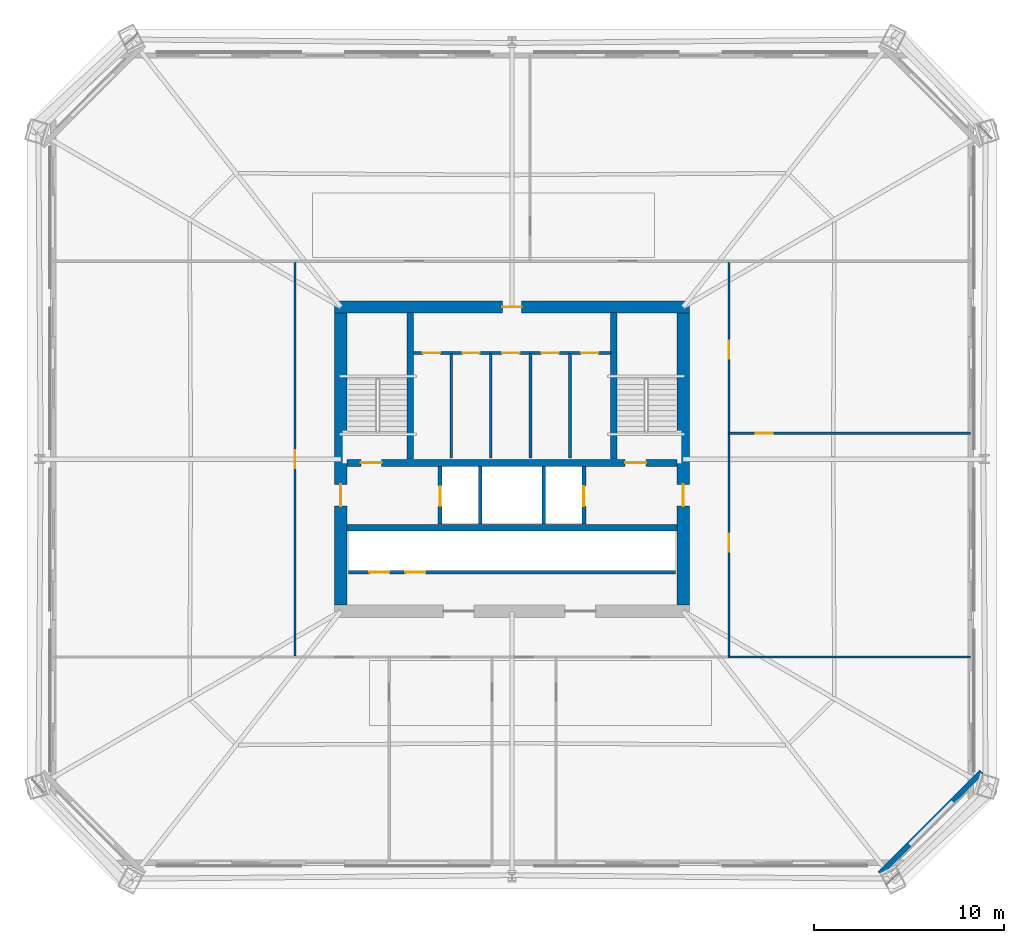
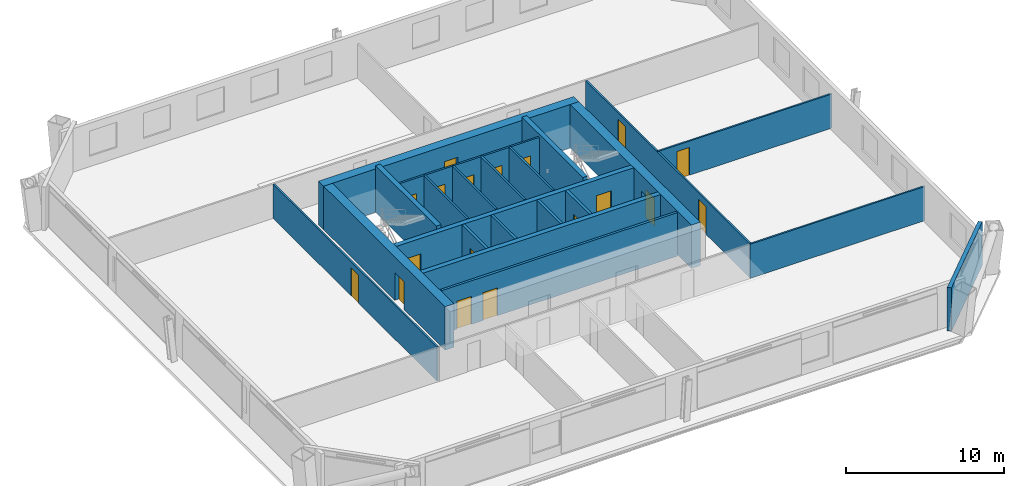
# One storey, part 5 of 10: 22 walls, 18 doors, 18 openings.
"""IFC4 building model written with IfcOpenShell, lengths in metres."""

from ifc_helpers import new_model, si_unit, direction, frame, frame_2d, origin, place, context, subcontext, project, spatial, rectangle, extrude, material, layer, layer_set, type_object, element, fill, save


model = new_model("IFC4")

# Units and contexts
model_context = context("Model", 3, precision=1e-05, world=origin(), true_north=direction((0.0, 1.0)))
body_context = subcontext(model_context, "Body", "Model", "MODEL_VIEW")
ifc_project = project(units=[si_unit("LENGTHUNIT", "METRE"), si_unit("AREAUNIT", "SQUARE_METRE"), si_unit("VOLUMEUNIT", "CUBIC_METRE"), si_unit("PLANEANGLEUNIT", "RADIAN"), si_unit("MASSUNIT", "GRAM", prefix="KILO")], contexts=[model_context])

# Site, building, storey
site_placement = place(None, origin())
site = spatial("IfcSite", under=ifc_project, at=site_placement, CompositionType="ELEMENT")
building_placement = place(site_placement, origin())
building = spatial("IfcBuilding", under=site, at=building_placement, Name="Caelvoria Tower", CompositionType="ELEMENT")
storey_placement = place(building_placement, frame((0.0, 0.0, 56.800048828125)))
storey = spatial("IfcBuildingStorey", under=building, at=storey_placement, Name="L14", CompositionType="ELEMENT", Elevation=56.800048828125)

# Wall, openings, doors
ifc_material_1 = material(Name="Concrete C50/60", Category="concrete")
ifc_layer_1 = layer(ifc_material_1, 0.35009765625, Name="Concrete C50/60")
ifc_layer_set_1 = layer_set([ifc_layer_1], Name="Core Internal Shear Wall 350 - Concrete C50/60")
wall_type_1 = type_object("IfcWallType", Name="Core Internal Shear Wall 350", PredefinedType="SHEAR", material=ifc_layer_set_1)
wall_1_placement = place(storey_placement, frame((37.324951171875, 31.800048828125, 0.0), z_axis=(0.0, 0.0, 1.0), x_axis=(1.0, 0.0, 0.0)))
wall_1 = element("IfcWall", 1, at=wall_1_placement, inside=storey, type_object=wall_type_1, Name="Core Shear Wall L14 M1", PredefinedType="SHEAR", context=body_context, shape_type="SweptSolid", body=[
    extrude(rectangle(XDim=17.35009765625, YDim=0.35009765625, at=frame_2d((8.675048828125, 0.0))), origin(), (0.0, 0.0, 1.0), 3.35986328125),
])
opening_1_placement = place(wall_1_placement, frame((0.72509765625, 0.0, 0.0)))
opening_1 = element("IfcOpeningElement", 2, at=opening_1_placement, cuts=wall_1, Name="Opening ID-01", PredefinedType="OPENING", context=body_context, shape_type="SweptSolid", body=[
    extrude(rectangle(XDim=1.10009765625, YDim=2.14990234375, at=frame_2d((0.550048828125, 1.074951171875))), frame((0.0, 0.18505859375, 0.0), z_axis=(0.0, -1.0, 0.0), x_axis=(1.0, 0.0, 0.0)), (0.0, 0.0, 1.0), 0.3701171875),
])
opening_2_placement = place(wall_1_placement, frame((14.625, 0.0, 0.0)))
opening_2 = element("IfcOpeningElement", 3, at=opening_2_placement, cuts=wall_1, Name="Opening ID-01", PredefinedType="OPENING", context=body_context, shape_type="SweptSolid", body=[
    extrude(rectangle(XDim=1.10009765625, YDim=2.14990234375, at=frame_2d((0.550048828125, 1.074951171875))), frame((0.0, 0.18505859375, 0.0), z_axis=(0.0, -1.0, 0.0), x_axis=(1.0, 0.0, 0.0)), (0.0, 0.0, 1.0), 0.3701171875),
])
ifc_material_2 = material(Name="Painted Hollow Steel Fire Door", Category="steel")
door_type_1 = type_object("IfcDoorType", Name="Fire Door FD90S 1100x2150", OperationType="NOTDEFINED", PredefinedType="DOOR", material=ifc_material_2)
door_1_placement = place(opening_1_placement, origin())
door_1 = element("IfcDoor", 4, at=door_1_placement, inside=storey, type_object=door_type_1, Name="Core Door DR-L14-ST1", OperationType="SINGLE_SWING_LEFT", OverallHeight=2.14990234375, OverallWidth=1.10009765625, PredefinedType="DOOR", context=body_context, shape_type="SweptSolid", body=[
    extrude(rectangle(XDim=1.10009765625, YDim=2.14990234375, at=frame_2d((0.550048828125, 1.074951171875))), frame((0.0, 0.02490234375, 0.0), z_axis=(0.0, -1.0, 0.0), x_axis=(1.0, 0.0, 0.0)), (0.0, 0.0, 1.0), 0.050048828125),
])
fill(opening_1, door_1)
door_2_placement = place(opening_2_placement, origin())
door_2 = element("IfcDoor", 5, at=door_2_placement, inside=storey, type_object=door_type_1, Name="Core Door DR-L14-ST2", OperationType="SINGLE_SWING_RIGHT", OverallHeight=2.14990234375, OverallWidth=1.10009765625, PredefinedType="DOOR", context=body_context, shape_type="SweptSolid", body=[
    extrude(rectangle(XDim=1.10009765625, YDim=2.14990234375, at=frame_2d((0.550048828125, 1.074951171875))), frame((0.0, 0.02490234375, 0.0), z_axis=(0.0, -1.0, 0.0), x_axis=(1.0, 0.0, 0.0)), (0.0, 0.0, 1.0), 0.050048828125),
])
fill(opening_2, door_2)

# Walls
wall_2_placement = place(storey_placement, frame((37.324951171875, 28.39990234375, 0.0), z_axis=(0.0, 0.0, 1.0), x_axis=(1.0, 0.0, 0.0)))
element("IfcWall", 6, at=wall_2_placement, inside=storey, type_object=wall_type_1, Name="Core Shear Wall L14 M2", PredefinedType="SHEAR", context=body_context, shape_type="SweptSolid", body=[
    extrude(rectangle(XDim=17.35009765625, YDim=0.35009765625, at=frame_2d((8.675048828125, 0.0))), origin(), (0.0, 0.0, 1.0), 3.35986328125),
])
for number, where, z_axis, x_axis, name in (
    (7, (40.64990234375, 32.0, 0.0), (0.0, 0.0, 1.0), (0.0, 1.0, 0.0), "Interior Partition IW-L14-ST1E"),
    (8, (51.35009765625, 32.0, 0.0), (0.0, 0.0, 1.0), (0.0, 1.0, 0.0), "Interior Partition IW-L14-ST2W"),
):
    element("IfcWall", number, at=place(storey_placement, frame(where, z_axis=z_axis, x_axis=x_axis)), inside=storey, type_object=wall_type_1, Name=name, PredefinedType="SHEAR", context=body_context, shape_type="SweptSolid", body=[
        extrude(rectangle(XDim=7.699951171875, YDim=0.35009765625, at=frame_2d((3.85009765625, 0.0))), origin(), (0.0, 0.0, 1.0), 3.599853515625),
    ])
ifc_material_3 = material(Name="Moisture-Resistant Gypsum on Steel Stud", Category="steel")
ifc_layer_2 = layer(ifc_material_3, 0.139892578125, Name="Moisture-Resistant Gypsum on Steel Stud")
ifc_layer_set_2 = layer_set([ifc_layer_2], Name="Core Sanitary Acoustic Partition Wall 140 - Moisture-Resistant Gypsum on Steel Stud")
wall_type_2 = type_object("IfcWallType", Name="Core Sanitary Acoustic Partition Wall 140", PredefinedType="PARTITIONING", material=ifc_layer_set_2)
for number, where, z_axis, x_axis, name in (
    (9, (42.81005859375, 32.050048828125, 0.0), (0.0, 0.0, 1.0), (0.0, 1.0, 0.0), "Interior Partition IW-L14-C1V0"),
    (10, (44.889892578125, 32.050048828125, 0.0), (0.0, 0.0, 1.0), (0.0, 1.0, 0.0), "Interior Partition IW-L14-C1V1"),
    (11, (46.969970703125, 32.050048828125, 0.0), (0.0, 0.0, 1.0), (0.0, 1.0, 0.0), "Interior Partition IW-L14-C1V2"),
    (12, (49.050048828125, 32.050048828125, 0.0), (0.0, 0.0, 1.0), (0.0, 1.0, 0.0), "Interior Partition IW-L14-C1V3"),
):
    element("IfcWall", number, at=place(storey_placement, frame(where, z_axis=z_axis, x_axis=x_axis)), inside=storey, type_object=wall_type_2, Name=name, PredefinedType="PARTITIONING", context=body_context, shape_type="SweptSolid", body=[
        extrude(rectangle(XDim=5.5, YDim=0.139892578125, at=frame_2d((2.75, 0.0))), origin(), (0.0, 0.0, 1.0), 3.35986328125),
    ])

# Wall, openings, doors
wall_3_placement = place(storey_placement, frame((40.800048828125, 37.580078125, 0.0), z_axis=(0.0, 0.0, 1.0), x_axis=(1.0, 0.0, 0.0)))
wall_3 = element("IfcWall", 13, at=wall_3_placement, inside=storey, type_object=wall_type_2, Name="Interior Partition IW-L14-C1H", PredefinedType="PARTITIONING", context=body_context, shape_type="SweptSolid", body=[
    extrude(rectangle(XDim=10.39990234375, YDim=0.139892578125, at=frame_2d((5.199951171875, 0.0))), origin(), (0.0, 0.0, 1.0), 3.35986328125),
])
opening_3_placement = place(wall_3_placement, frame((0.52001953125, 0.0, 0.0)))
opening_3 = element("IfcOpeningElement", 14, at=opening_3_placement, cuts=wall_3, Name="Opening ID-06", PredefinedType="OPENING", context=body_context, shape_type="SweptSolid", body=[
    extrude(rectangle(XDim=0.89990234375, YDim=2.14990234375, at=frame_2d((0.449951171875, 1.074951171875))), frame((0.0, 0.079833984375, 0.0), z_axis=(0.0, -1.0, 0.0), x_axis=(1.0, 0.0, 0.0)), (0.0, 0.0, 1.0), 0.159912109375),
])
opening_4_placement = place(wall_3_placement, frame((2.60009765625, 0.0, 0.0)))
opening_4 = element("IfcOpeningElement", 15, at=opening_4_placement, cuts=wall_3, Name="Opening ID-06", PredefinedType="OPENING", context=body_context, shape_type="SweptSolid", body=[
    extrude(rectangle(XDim=0.89990234375, YDim=2.14990234375, at=frame_2d((0.449951171875, 1.074951171875))), frame((0.0, 0.079833984375, 0.0), z_axis=(0.0, -1.0, 0.0), x_axis=(1.0, 0.0, 0.0)), (0.0, 0.0, 1.0), 0.159912109375),
])
opening_5_placement = place(wall_3_placement, frame((4.679931640625, 0.0, 0.0)))
opening_5 = element("IfcOpeningElement", 16, at=opening_5_placement, cuts=wall_3, Name="Opening ID-07", PredefinedType="OPENING", context=body_context, shape_type="SweptSolid", body=[
    extrude(rectangle(XDim=0.919921875, YDim=2.14990234375, at=frame_2d((0.4599609375, 1.074951171875))), frame((0.0, 0.079833984375, 0.0), z_axis=(0.0, -1.0, 0.0), x_axis=(1.0, 0.0, 0.0)), (0.0, 0.0, 1.0), 0.159912109375),
])
opening_6_placement = place(wall_3_placement, frame((6.760009765625, 0.0, 0.0)))
opening_6 = element("IfcOpeningElement", 17, at=opening_6_placement, cuts=wall_3, Name="Opening ID-06", PredefinedType="OPENING", context=body_context, shape_type="SweptSolid", body=[
    extrude(rectangle(XDim=0.89990234375, YDim=2.14990234375, at=frame_2d((0.449951171875, 1.074951171875))), frame((0.0, 0.079833984375, 0.0), z_axis=(0.0, -1.0, 0.0), x_axis=(1.0, 0.0, 0.0)), (0.0, 0.0, 1.0), 0.159912109375),
])
opening_7_placement = place(wall_3_placement, frame((8.840087890625, 0.0, 0.0)))
opening_7 = element("IfcOpeningElement", 18, at=opening_7_placement, cuts=wall_3, Name="Opening ID-06", PredefinedType="OPENING", context=body_context, shape_type="SweptSolid", body=[
    extrude(rectangle(XDim=0.89990234375, YDim=2.14990234375, at=frame_2d((0.449951171875, 1.074951171875))), frame((0.0, 0.079833984375, 0.0), z_axis=(0.0, -1.0, 0.0), x_axis=(1.0, 0.0, 0.0)), (0.0, 0.0, 1.0), 0.159912109375),
])
ifc_material_4 = material(Name="Engineered Andean Oak Accessible Door", Category="wood")
door_type_2 = type_object("IfcDoorType", Name="Accessible WC Door 950x2150", OperationType="NOTDEFINED", PredefinedType="DOOR", material=ifc_material_4)
door_3_placement = place(opening_5_placement, origin())
door_3 = element("IfcDoor", 19, at=door_3_placement, inside=storey, type_object=door_type_2, Name="Interior Door DR-L14-C1-3", OperationType="SINGLE_SWING_LEFT", OverallHeight=2.14990234375, OverallWidth=0.919921875, PredefinedType="DOOR", context=body_context, shape_type="SweptSolid", body=[
    extrude(rectangle(XDim=0.919921875, YDim=2.14990234375, at=frame_2d((0.4599609375, 1.074951171875))), frame((0.0, 0.02490234375, 0.0), z_axis=(0.0, -1.0, 0.0), x_axis=(1.0, 0.0, 0.0)), (0.0, 0.0, 1.0), 0.050048828125),
])
fill(opening_5, door_3)
ifc_material_5 = material(Name="Engineered Andean Oak Veneer Door", Category="wood")
door_type_3 = type_object("IfcDoorType", Name="Interior Timber Door 900x2150", OperationType="NOTDEFINED", PredefinedType="DOOR", material=ifc_material_5)
door_4_placement = place(opening_3_placement, origin())
door_4 = element("IfcDoor", 20, at=door_4_placement, inside=storey, type_object=door_type_3, Name="Interior Door DR-L14-C1-1", OperationType="SINGLE_SWING_LEFT", OverallHeight=2.14990234375, OverallWidth=0.89990234375, PredefinedType="DOOR", context=body_context, shape_type="SweptSolid", body=[
    extrude(rectangle(XDim=0.89990234375, YDim=2.14990234375, at=frame_2d((0.449951171875, 1.074951171875))), frame((0.0, 0.02490234375, 0.0), z_axis=(0.0, -1.0, 0.0), x_axis=(1.0, 0.0, 0.0)), (0.0, 0.0, 1.0), 0.050048828125),
])
fill(opening_3, door_4)
door_5_placement = place(opening_4_placement, origin())
door_5 = element("IfcDoor", 21, at=door_5_placement, inside=storey, type_object=door_type_3, Name="Interior Door DR-L14-C1-2", OperationType="SINGLE_SWING_RIGHT", OverallHeight=2.14990234375, OverallWidth=0.89990234375, PredefinedType="DOOR", context=body_context, shape_type="SweptSolid", body=[
    extrude(rectangle(XDim=0.89990234375, YDim=2.14990234375, at=frame_2d((0.449951171875, 1.074951171875))), frame((0.0, 0.02490234375, 0.0), z_axis=(0.0, -1.0, 0.0), x_axis=(1.0, 0.0, 0.0)), (0.0, 0.0, 1.0), 0.050048828125),
])
fill(opening_4, door_5)
door_6_placement = place(opening_6_placement, origin())
door_6 = element("IfcDoor", 22, at=door_6_placement, inside=storey, type_object=door_type_3, Name="Interior Door DR-L14-C1-4", OperationType="SINGLE_SWING_RIGHT", OverallHeight=2.14990234375, OverallWidth=0.89990234375, PredefinedType="DOOR", context=body_context, shape_type="SweptSolid", body=[
    extrude(rectangle(XDim=0.89990234375, YDim=2.14990234375, at=frame_2d((0.449951171875, 1.074951171875))), frame((0.0, 0.02490234375, 0.0), z_axis=(0.0, -1.0, 0.0), x_axis=(1.0, 0.0, 0.0)), (0.0, 0.0, 1.0), 0.050048828125),
])
fill(opening_6, door_6)
door_7_placement = place(opening_7_placement, origin())
door_7 = element("IfcDoor", 23, at=door_7_placement, inside=storey, type_object=door_type_3, Name="Interior Door DR-L14-C1-5", OperationType="SINGLE_SWING_LEFT", OverallHeight=2.14990234375, OverallWidth=0.89990234375, PredefinedType="DOOR", context=body_context, shape_type="SweptSolid", body=[
    extrude(rectangle(XDim=0.89990234375, YDim=2.14990234375, at=frame_2d((0.449951171875, 1.074951171875))), frame((0.0, 0.02490234375, 0.0), z_axis=(0.0, -1.0, 0.0), x_axis=(1.0, 0.0, 0.0)), (0.0, 0.0, 1.0), 0.050048828125),
])
fill(opening_7, door_7)

# Walls
ifc_material_6 = material(Name="Precast Concrete C40/50 with Bronze Cladding", Category="concrete")
ifc_layer_3 = layer(ifc_material_6, 0.280029296875, Name="Precast Concrete C40/50 with Bronze Cladding")
ifc_layer_set_3 = layer_set([ifc_layer_3], Name="Exterior Precast Concrete C40/50 Bronze-Clad Facade Wall 280 - Precast Concrete C40/50 with Bronze Cladding")
wall_type_3 = type_object("IfcWallType", Name="Exterior Precast Concrete C40/50 Bronze-Clad Facade Wall 280", PredefinedType="STANDARD", material=ifc_layer_set_3)
wall_4_placement = place(storey_placement, frame((65.3544921875, 10.2060546875, 0.0), z_axis=(0.0, 0.0, 1.0), x_axis=(0.707106781187, 0.707106781187, 0.0)))
element("IfcWall", 24, at=wall_4_placement, inside=storey, type_object=wall_type_3, Name="Exterior Facade Wall L14-E1", PredefinedType="STANDARD", context=body_context, shape_type="SweptSolid", body=[
    extrude(rectangle(XDim=7.551025390625, YDim=0.280029296875, at=frame_2d((3.775390625, 0.0))), origin(), (0.0, 0.0, 1.0), 3.35986328125),
])
ifc_material_7 = material(Name="Concrete Block and Fireboard Assembly", Category="concrete")
ifc_layer_4 = layer(ifc_material_7, 0.179931640625, Name="Concrete Block and Fireboard Assembly")
ifc_layer_set_4 = layer_set([ifc_layer_4], Name="Fire-Rated Hoistway Partition Wall 180 - Concrete Block and Fireboard Assembly")
wall_type_4 = type_object("IfcWallType", Name="Fire-Rated Hoistway Partition Wall 180", PredefinedType="PARTITIONING", material=ifc_layer_set_4)
for number, where, z_axis, x_axis, name in (
    (25, (44.320068359375, 28.580078125, 0.0), (0.0, 0.0, 1.0), (0.0, 1.0, 0.0), "Interior Partition IW-L14-SV1W"),
    (26, (47.679931640625, 28.580078125, 0.0), (0.0, 0.0, 1.0), (0.0, 1.0, 0.0), "Interior Partition IW-L14-SV1E"),
):
    element("IfcWall", number, at=place(storey_placement, frame(where, z_axis=z_axis, x_axis=x_axis)), inside=storey, type_object=wall_type_4, Name=name, PredefinedType="PARTITIONING", context=body_context, shape_type="SweptSolid", body=[
        extrude(rectangle(XDim=3.0400390625, YDim=0.179931640625, at=frame_2d((1.52001953125, 0.0))), origin(), (0.0, 0.0, 1.0), 3.35986328125),
    ])

# Wall, openings, doors
wall_5_placement = place(storey_placement, frame((37.39990234375, 26.050048828125, 0.0), z_axis=(0.0, 0.0, 1.0), x_axis=(1.0, 0.0, 0.0)))
wall_5 = element("IfcWall", 27, at=wall_5_placement, inside=storey, type_object=wall_type_4, Name="Interior Partition IW-L14-LFRONT", PredefinedType="PARTITIONING", context=body_context, shape_type="SweptSolid", body=[
    extrude(rectangle(XDim=17.2001953125, YDim=0.179931640625, at=frame_2d((8.60009765625, 0.0))), origin(), (0.0, 0.0, 1.0), 3.35986328125),
])
opening_8_placement = place(wall_5_placement, frame((1.10009765625, 0.0, 0.0)))
opening_8 = element("IfcOpeningElement", 28, at=opening_8_placement, cuts=wall_5, Name="Opening LD-01", PredefinedType="OPENING", context=body_context, shape_type="SweptSolid", body=[
    extrude(rectangle(XDim=1.050048828125, YDim=2.14990234375, at=frame_2d((0.52490234375, 1.074951171875))), frame((0.0, 0.099853515625, 0.0), z_axis=(0.0, -1.0, 0.0), x_axis=(1.0, 0.0, 0.0)), (0.0, 0.0, 1.0), 0.199951171875),
])
opening_9_placement = place(wall_5_placement, frame((3.0, 0.0, 0.0)))
opening_9 = element("IfcOpeningElement", 29, at=opening_9_placement, cuts=wall_5, Name="Opening LD-01", PredefinedType="OPENING", context=body_context, shape_type="SweptSolid", body=[
    extrude(rectangle(XDim=1.050048828125, YDim=2.14990234375, at=frame_2d((0.52490234375, 1.074951171875))), frame((0.0, 0.099853515625, 0.0), z_axis=(0.0, -1.0, 0.0), x_axis=(1.0, 0.0, 0.0)), (0.0, 0.0, 1.0), 0.199951171875),
])
ifc_material_8 = material(Name="Brushed Bronze Stainless Sliding Landing Door", Category="aluminium")
door_type_4 = type_object("IfcDoorType", Name="Lift Landing Sliding Door 1100x2150", OperationType="NOTDEFINED", PredefinedType="DOOR", material=ifc_material_8)
door_8_placement = place(opening_8_placement, origin())
door_8 = element("IfcDoor", 30, at=door_8_placement, inside=storey, type_object=door_type_4, Name="Interior Door LD-L14-PL1", OperationType="SLIDING_TO_LEFT", OverallHeight=2.14990234375, OverallWidth=1.050048828125, PredefinedType="DOOR", context=body_context, shape_type="SweptSolid", body=[
    extrude(rectangle(XDim=1.050048828125, YDim=2.14990234375, at=frame_2d((0.52490234375, 1.074951171875))), frame((0.0, 0.02490234375, 0.0), z_axis=(0.0, -1.0, 0.0), x_axis=(1.0, 0.0, 0.0)), (0.0, 0.0, 1.0), 0.050048828125),
])
fill(opening_8, door_8)
door_9_placement = place(opening_9_placement, origin())
door_9 = element("IfcDoor", 31, at=door_9_placement, inside=storey, type_object=door_type_4, Name="Interior Door LD-L14-PL2", OperationType="SLIDING_TO_RIGHT", OverallHeight=2.14990234375, OverallWidth=1.050048828125, PredefinedType="DOOR", context=body_context, shape_type="SweptSolid", body=[
    extrude(rectangle(XDim=1.050048828125, YDim=2.14990234375, at=frame_2d((0.52490234375, 1.074951171875))), frame((0.0, 0.02490234375, 0.0), z_axis=(0.0, -1.0, 0.0), x_axis=(1.0, 0.0, 0.0)), (0.0, 0.0, 1.0), 0.050048828125),
])
fill(opening_9, door_9)

# Wall, opening, door
ifc_layer_5 = layer(ifc_material_7, 0.199951171875, Name="Concrete Block and Fireboard Assembly")
ifc_layer_set_5 = layer_set([ifc_layer_5], Name="Fire-Rated Shaft and Core Partition Wall 200 - Concrete Block and Fireboard Assembly")
wall_type_5 = type_object("IfcWallType", Name="Fire-Rated Shaft and Core Partition Wall 200", PredefinedType="PARTITIONING", material=ifc_layer_set_5)
wall_6_placement = place(storey_placement, frame((42.219970703125, 28.580078125, 0.0), z_axis=(0.0, 0.0, 1.0), x_axis=(0.0, 1.0, 0.0)))
wall_6 = element("IfcWall", 32, at=wall_6_placement, inside=storey, type_object=wall_type_5, Name="Interior Partition IW-L14-LF1W", PredefinedType="PARTITIONING", context=body_context, shape_type="SweptSolid", body=[
    extrude(rectangle(XDim=3.0400390625, YDim=0.199951171875, at=frame_2d((1.52001953125, 0.0))), origin(), (0.0, 0.0, 1.0), 3.35986328125),
])
opening_10_placement = place(wall_6_placement, frame((0.949951171875, 0.0, 0.0)))
opening_10 = element("IfcOpeningElement", 33, at=opening_10_placement, cuts=wall_6, Name="Opening LD-01", PredefinedType="OPENING", context=body_context, shape_type="SweptSolid", body=[
    extrude(rectangle(XDim=1.050048828125, YDim=2.14990234375, at=frame_2d((0.52490234375, 1.074951171875))), frame((0.0, 0.10986328125, 0.0), z_axis=(0.0, -1.0, 0.0), x_axis=(1.0, 0.0, 0.0)), (0.0, 0.0, 1.0), 0.219970703125),
])
door_10_placement = place(opening_10_placement, origin())
door_10 = element("IfcDoor", 34, at=door_10_placement, inside=storey, type_object=door_type_4, Name="Interior Door LD-L14-LF1", OperationType="SLIDING_TO_LEFT", OverallHeight=2.14990234375, OverallWidth=1.050048828125, PredefinedType="DOOR", context=body_context, shape_type="SweptSolid", body=[
    extrude(rectangle(XDim=1.050048828125, YDim=2.14990234375, at=frame_2d((0.52490234375, 1.074951171875))), frame((0.0, 0.02490234375, 0.0), z_axis=(0.0, -1.0, 0.0), x_axis=(1.0, 0.0, 0.0)), (0.0, 0.0, 1.0), 0.050048828125),
])
fill(opening_10, door_10)

wall_7_placement = place(storey_placement, frame((49.780029296875, 28.580078125, 0.0), z_axis=(0.0, 0.0, 1.0), x_axis=(0.0, 1.0, 0.0)))
wall_7 = element("IfcWall", 35, at=wall_7_placement, inside=storey, type_object=wall_type_5, Name="Interior Partition IW-L14-LF2E", PredefinedType="PARTITIONING", context=body_context, shape_type="SweptSolid", body=[
    extrude(rectangle(XDim=3.0400390625, YDim=0.199951171875, at=frame_2d((1.52001953125, 0.0))), origin(), (0.0, 0.0, 1.0), 3.35986328125),
])
opening_11_placement = place(wall_7_placement, frame((0.949951171875, 0.0, 0.0)))
opening_11 = element("IfcOpeningElement", 36, at=opening_11_placement, cuts=wall_7, Name="Opening LD-01", PredefinedType="OPENING", context=body_context, shape_type="SweptSolid", body=[
    extrude(rectangle(XDim=1.050048828125, YDim=2.14990234375, at=frame_2d((0.52490234375, 1.074951171875))), frame((0.0, 0.10986328125, 0.0), z_axis=(0.0, -1.0, 0.0), x_axis=(1.0, 0.0, 0.0)), (0.0, 0.0, 1.0), 0.219970703125),
])
door_11_placement = place(opening_11_placement, origin())
door_11 = element("IfcDoor", 37, at=door_11_placement, inside=storey, type_object=door_type_4, Name="Interior Door LD-L14-LF2", OperationType="SLIDING_TO_RIGHT", OverallHeight=2.14990234375, OverallWidth=1.050048828125, PredefinedType="DOOR", context=body_context, shape_type="SweptSolid", body=[
    extrude(rectangle(XDim=1.050048828125, YDim=2.14990234375, at=frame_2d((0.52490234375, 1.074951171875))), frame((0.0, 0.02490234375, 0.0), z_axis=(0.0, -1.0, 0.0), x_axis=(1.0, 0.0, 0.0)), (0.0, 0.0, 1.0), 0.050048828125),
])
fill(opening_11, door_11)

ifc_material_9 = material(Name="Concrete C60/75", Category="concrete")
ifc_layer_6 = layer(ifc_material_9, 0.64990234375, Name="Concrete C60/75")
ifc_layer_set_6 = layer_set([ifc_layer_6], Name="Lower Core Shear Wall 650 - Concrete C60/75")
wall_type_6 = type_object("IfcWallType", Name="Lower Core Shear Wall 650", PredefinedType="SHEAR", material=ifc_layer_set_6)
wall_8_placement = place(storey_placement, frame((36.675048828125, 40.0, 0.0), z_axis=(0.0, 0.0, 1.0), x_axis=(1.0, 0.0, 0.0)))
wall_8 = element("IfcWall", 38, at=wall_8_placement, inside=storey, type_object=wall_type_6, Name="Core Shear Wall L14 N", PredefinedType="SHEAR", context=body_context, shape_type="SweptSolid", body=[
    extrude(rectangle(XDim=18.64990234375, YDim=0.64990234375, at=frame_2d((9.324951171875, 0.0))), origin(), (0.0, 0.0, 1.0), 3.35986328125),
])
opening_12_placement = place(wall_8_placement, frame((8.824951171875, 0.0, 0.0)))
opening_12 = element("IfcOpeningElement", 39, at=opening_12_placement, cuts=wall_8, Name="Opening ID-03", PredefinedType="OPENING", context=body_context, shape_type="SweptSolid", body=[
    extrude(rectangle(XDim=1.0, YDim=2.14990234375, at=frame_2d((0.5, 1.074951171875))), frame((0.0, 0.3349609375, 0.0), z_axis=(0.0, -1.0, 0.0), x_axis=(1.0, 0.0, 0.0)), (0.0, 0.0, 1.0), 0.669921875),
])
door_type_5 = type_object("IfcDoorType", Name="Fire Door FD60S 1000x2150", OperationType="NOTDEFINED", PredefinedType="DOOR", material=ifc_material_2)
door_12_placement = place(opening_12_placement, origin())
door_12 = element("IfcDoor", 40, at=door_12_placement, inside=storey, type_object=door_type_5, Name="Core Door DR-L14-WC-MAIN", OperationType="SINGLE_SWING_RIGHT", OverallHeight=2.14990234375, OverallWidth=1.0, PredefinedType="DOOR", context=body_context, shape_type="SweptSolid", body=[
    extrude(rectangle(XDim=1.0, YDim=2.14990234375, at=frame_2d((0.5, 1.074951171875))), frame((0.0, 0.02490234375, 0.0), z_axis=(0.0, -1.0, 0.0), x_axis=(1.0, 0.0, 0.0)), (0.0, 0.0, 1.0), 0.050048828125),
])
fill(opening_12, door_12)

wall_9_placement = place(storey_placement, frame((37.0, 24.324951171875, 0.0), z_axis=(0.0, 0.0, 1.0), x_axis=(0.0, 1.0, 0.0)))
wall_9 = element("IfcWall", 41, at=wall_9_placement, inside=storey, type_object=wall_type_6, Name="Core Shear Wall L14 W", PredefinedType="SHEAR", context=body_context, shape_type="SweptSolid", body=[
    extrude(rectangle(XDim=15.35009765625, YDim=0.64990234375, at=frame_2d((7.675048828125, 0.0))), origin(), (0.0, 0.0, 1.0), 3.35986328125),
])
opening_13_placement = place(wall_9_placement, frame((5.199951171875, 0.0, 0.0)))
opening_13 = element("IfcOpeningElement", 42, at=opening_13_placement, cuts=wall_9, Name="Opening ID-02", PredefinedType="OPENING", context=body_context, shape_type="SweptSolid", body=[
    extrude(rectangle(XDim=1.14990234375, YDim=2.14990234375, at=frame_2d((0.574951171875, 1.074951171875))), frame((0.0, 0.3349609375, 0.0), z_axis=(0.0, -1.0, 0.0), x_axis=(1.0, 0.0, 0.0)), (0.0, 0.0, 1.0), 0.669921875),
])
door_type_6 = type_object("IfcDoorType", Name="Fire Door FD60S 1150x2150", OperationType="NOTDEFINED", PredefinedType="DOOR", material=ifc_material_2)
door_13_placement = place(opening_13_placement, origin())
door_13 = element("IfcDoor", 43, at=door_13_placement, inside=storey, type_object=door_type_6, Name="Core Door DR-L14-FFLW-OUT", OperationType="SINGLE_SWING_LEFT", OverallHeight=2.14990234375, OverallWidth=1.14990234375, PredefinedType="DOOR", context=body_context, shape_type="SweptSolid", body=[
    extrude(rectangle(XDim=1.14990234375, YDim=2.14990234375, at=frame_2d((0.574951171875, 1.074951171875))), frame((0.0, 0.02490234375, 0.0), z_axis=(0.0, -1.0, 0.0), x_axis=(1.0, 0.0, 0.0)), (0.0, 0.0, 1.0), 0.050048828125),
])
fill(opening_13, door_13)

wall_10_placement = place(storey_placement, frame((55.0, 24.324951171875, 0.0), z_axis=(0.0, 0.0, 1.0), x_axis=(0.0, 1.0, 0.0)))
wall_10 = element("IfcWall", 44, at=wall_10_placement, inside=storey, type_object=wall_type_6, Name="Core Shear Wall L14 E", PredefinedType="SHEAR", context=body_context, shape_type="SweptSolid", body=[
    extrude(rectangle(XDim=15.35009765625, YDim=0.64990234375, at=frame_2d((7.675048828125, 0.0))), origin(), (0.0, 0.0, 1.0), 3.35986328125),
])
opening_14_placement = place(wall_10_placement, frame((5.199951171875, 0.0, 0.0)))
opening_14 = element("IfcOpeningElement", 45, at=opening_14_placement, cuts=wall_10, Name="Opening ID-02", PredefinedType="OPENING", context=body_context, shape_type="SweptSolid", body=[
    extrude(rectangle(XDim=1.14990234375, YDim=2.14990234375, at=frame_2d((0.574951171875, 1.074951171875))), frame((0.0, 0.3349609375, 0.0), z_axis=(0.0, -1.0, 0.0), x_axis=(1.0, 0.0, 0.0)), (0.0, 0.0, 1.0), 0.669921875),
])
door_14_placement = place(opening_14_placement, origin())
door_14 = element("IfcDoor", 46, at=door_14_placement, inside=storey, type_object=door_type_6, Name="Core Door DR-L14-FFLE-OUT", OperationType="SINGLE_SWING_RIGHT", OverallHeight=2.14990234375, OverallWidth=1.14990234375, PredefinedType="DOOR", context=body_context, shape_type="SweptSolid", body=[
    extrude(rectangle(XDim=1.14990234375, YDim=2.14990234375, at=frame_2d((0.574951171875, 1.074951171875))), frame((0.0, 0.02490234375, 0.0), z_axis=(0.0, -1.0, 0.0), x_axis=(1.0, 0.0, 0.0)), (0.0, 0.0, 1.0), 0.050048828125),
])
fill(opening_14, door_14)

ifc_material_10 = material(Name="Acoustic Gypsum Board on Light-Gauge Stud", Category="gypsum")
ifc_layer_7 = layer(ifc_material_10, 0.1201171875, Name="Acoustic Gypsum Board on Light-Gauge Stud")
ifc_layer_set_7 = layer_set([ifc_layer_7], Name="Tenant Suite Acoustic Partition Wall 120 - Acoustic Gypsum Board on Light-Gauge Stud")
wall_type_7 = type_object("IfcWallType", Name="Tenant Suite Acoustic Partition Wall 120", PredefinedType="PARTITIONING", material=ifc_layer_set_7)
wall_11_placement = place(storey_placement, frame((34.590087890625, 21.64990234375, 0.0), z_axis=(0.0, 0.0, 1.0), x_axis=(0.0, 1.0, 0.0)))
wall_11 = element("IfcWall", 47, at=wall_11_placement, inside=storey, type_object=wall_type_7, Name="Interior Partition IW-L14-WCW-0", PredefinedType="PARTITIONING", context=body_context, shape_type="SweptSolid", body=[
    extrude(rectangle(XDim=20.7001953125, YDim=0.1201171875, at=frame_2d((10.35009765625, 0.0))), origin(), (0.0, 0.0, 1.0), 2.639892578125),
])
opening_15_placement = place(wall_11_placement, frame((9.875, 0.0, 0.0)))
opening_15 = element("IfcOpeningElement", 48, at=opening_15_placement, cuts=wall_11, Name="Opening ID-05", PredefinedType="OPENING", context=body_context, shape_type="SweptSolid", body=[
    extrude(rectangle(XDim=0.949951171875, YDim=2.14990234375, at=frame_2d((0.47509765625, 1.074951171875))), frame((0.0, 0.070068359375, 0.0), z_axis=(0.0, -1.0, 0.0), x_axis=(1.0, 0.0, 0.0)), (0.0, 0.0, 1.0), 0.14013671875),
])
door_type_7 = type_object("IfcDoorType", Name="Interior Timber Door 950x2150", OperationType="NOTDEFINED", PredefinedType="DOOR", material=ifc_material_5)
door_15_placement = place(opening_15_placement, origin())
door_15 = element("IfcDoor", 49, at=door_15_placement, inside=storey, type_object=door_type_7, Name="Interior Door DR-L14-WC-00-0", OperationType="SINGLE_SWING_LEFT", OverallHeight=2.14990234375, OverallWidth=0.949951171875, PredefinedType="DOOR", context=body_context, shape_type="SweptSolid", body=[
    extrude(rectangle(XDim=0.949951171875, YDim=2.14990234375, at=frame_2d((0.47509765625, 1.074951171875))), frame((0.0, 0.02490234375, 0.0), z_axis=(0.0, -1.0, 0.0), x_axis=(1.0, 0.0, 0.0)), (0.0, 0.0, 1.0), 0.050048828125),
])
fill(opening_15, door_15)

wall_12_placement = place(storey_placement, frame((57.409912109375, 33.3583984375, 0.0), z_axis=(0.0, 0.0, 1.0), x_axis=(1.0, 0.0, 0.0)))
wall_12 = element("IfcWall", 50, at=wall_12_placement, inside=storey, type_object=wall_type_7, Name="Interior Partition IW-L14-ED-00-0", PredefinedType="PARTITIONING", context=body_context, shape_type="SweptSolid", body=[
    extrude(rectangle(XDim=12.710205078125, YDim=0.1201171875, at=frame_2d((6.35498046875, 0.0))), origin(), (0.0, 0.0, 1.0), 2.639892578125),
])
opening_16_placement = place(wall_12_placement, frame((1.39990234375, 0.0, 0.0)))
opening_16 = element("IfcOpeningElement", 51, at=opening_16_placement, cuts=wall_12, Name="Opening ID-06", PredefinedType="OPENING", context=body_context, shape_type="SweptSolid", body=[
    extrude(rectangle(XDim=0.89990234375, YDim=2.14990234375, at=frame_2d((0.449951171875, 1.074951171875))), frame((0.0, 0.070068359375, 0.0), z_axis=(0.0, -1.0, 0.0), x_axis=(1.0, 0.0, 0.0)), (0.0, 0.0, 1.0), 0.14013671875),
])
door_16_placement = place(opening_16_placement, origin())
door_16 = element("IfcDoor", 52, at=door_16_placement, inside=storey, type_object=door_type_3, Name="Interior Door DR-L14-EM-00-0", OperationType="SINGLE_SWING_RIGHT", OverallHeight=2.14990234375, OverallWidth=0.89990234375, PredefinedType="DOOR", context=body_context, shape_type="SweptSolid", body=[
    extrude(rectangle(XDim=0.89990234375, YDim=2.14990234375, at=frame_2d((0.449951171875, 1.074951171875))), frame((0.0, 0.02490234375, 0.0), z_axis=(0.0, -1.0, 0.0), x_axis=(1.0, 0.0, 0.0)), (0.0, 0.0, 1.0), 0.050048828125),
])
fill(opening_16, door_16)

# Wall, openings, doors
wall_13_placement = place(storey_placement, frame((57.409912109375, 21.64990234375, 0.0), z_axis=(0.0, 0.0, 1.0), x_axis=(0.0, 1.0, 0.0)))
wall_13 = element("IfcWall", 53, at=wall_13_placement, inside=storey, type_object=wall_type_7, Name="Interior Partition IW-L14-ECW-0", PredefinedType="PARTITIONING", context=body_context, shape_type="SweptSolid", body=[
    extrude(rectangle(XDim=20.7001953125, YDim=0.1201171875, at=frame_2d((10.35009765625, 0.0))), origin(), (0.0, 0.0, 1.0), 2.639892578125),
])
opening_17_placement = place(wall_13_placement, frame((5.47900390625, 0.0, 0.0)))
opening_17 = element("IfcOpeningElement", 54, at=opening_17_placement, cuts=wall_13, Name="Opening ID-05", PredefinedType="OPENING", context=body_context, shape_type="SweptSolid", body=[
    extrude(rectangle(XDim=0.949951171875, YDim=2.14990234375, at=frame_2d((0.47509765625, 1.074951171875))), frame((0.0, 0.070068359375, 0.0), z_axis=(0.0, -1.0, 0.0), x_axis=(1.0, 0.0, 0.0)), (0.0, 0.0, 1.0), 0.14013671875),
])
opening_18_placement = place(wall_13_placement, frame((15.629150390625, 0.0, 0.0)))
opening_18 = element("IfcOpeningElement", 55, at=opening_18_placement, cuts=wall_13, Name="Opening ID-05", PredefinedType="OPENING", context=body_context, shape_type="SweptSolid", body=[
    extrude(rectangle(XDim=0.949951171875, YDim=2.14990234375, at=frame_2d((0.47509765625, 1.074951171875))), frame((0.0, 0.070068359375, 0.0), z_axis=(0.0, -1.0, 0.0), x_axis=(1.0, 0.0, 0.0)), (0.0, 0.0, 1.0), 0.14013671875),
])
door_17_placement = place(opening_17_placement, origin())
door_17 = element("IfcDoor", 56, at=door_17_placement, inside=storey, type_object=door_type_7, Name="Interior Door DR-L14-EC-00-0", OperationType="SINGLE_SWING_LEFT", OverallHeight=2.14990234375, OverallWidth=0.949951171875, PredefinedType="DOOR", context=body_context, shape_type="SweptSolid", body=[
    extrude(rectangle(XDim=0.949951171875, YDim=2.14990234375, at=frame_2d((0.47509765625, 1.074951171875))), frame((0.0, 0.02490234375, 0.0), z_axis=(0.0, -1.0, 0.0), x_axis=(1.0, 0.0, 0.0)), (0.0, 0.0, 1.0), 0.050048828125),
])
fill(opening_17, door_17)
door_18_placement = place(opening_18_placement, origin())
door_18 = element("IfcDoor", 57, at=door_18_placement, inside=storey, type_object=door_type_7, Name="Interior Door DR-L14-EC-01-0", OperationType="SINGLE_SWING_RIGHT", OverallHeight=2.14990234375, OverallWidth=0.949951171875, PredefinedType="DOOR", context=body_context, shape_type="SweptSolid", body=[
    extrude(rectangle(XDim=0.949951171875, YDim=2.14990234375, at=frame_2d((0.47509765625, 1.074951171875))), frame((0.0, 0.02490234375, 0.0), z_axis=(0.0, -1.0, 0.0), x_axis=(1.0, 0.0, 0.0)), (0.0, 0.0, 1.0), 0.050048828125),
])
fill(opening_18, door_18)

# Wall
wall_14_placement = place(storey_placement, frame((57.35009765625, 21.590087890625, 0.0), z_axis=(0.0, 0.0, 1.0), x_axis=(1.0, 0.0, 0.0)))
element("IfcWall", 58, at=wall_14_placement, inside=storey, type_object=wall_type_7, Name="Interior Partition IW-L14-BSE-0", PredefinedType="PARTITIONING", context=body_context, shape_type="SweptSolid", body=[
    extrude(rectangle(XDim=12.77001953125, YDim=0.1201171875, at=frame_2d((6.385009765625, 0.0))), origin(), (0.0, 0.0, 1.0), 2.639892578125),
])

save(model, "model.ifc")
